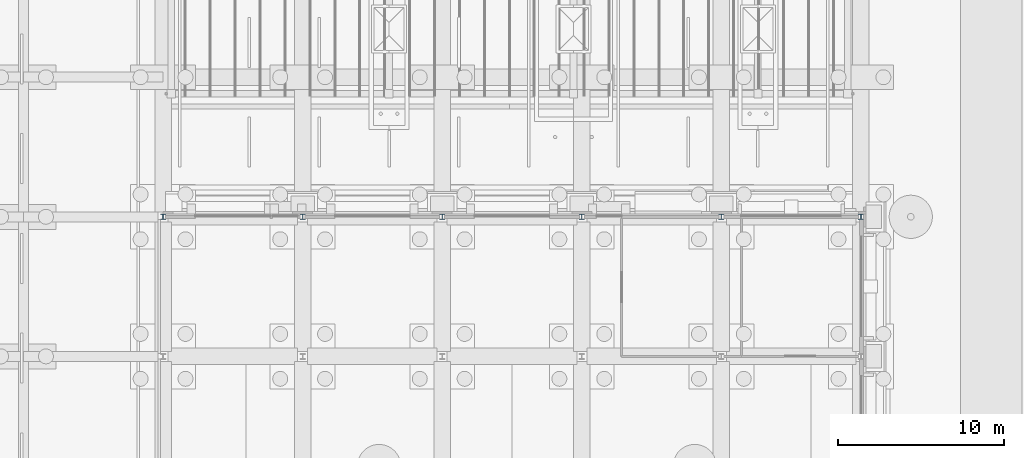
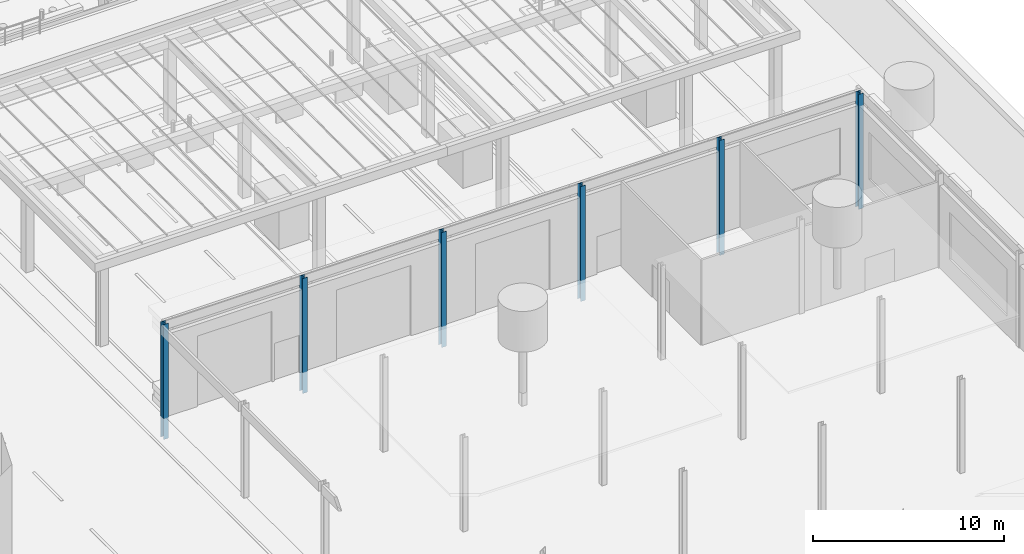
# One storey, part 31 of 222: 6 columns.
"""IFC4 building model written with IfcOpenShell, lengths in metres."""

import ifcopenshell
import ifcopenshell.guid

model = None  # the IFC model being written
_history = None  # IfcOwnerHistory: only IFC2X3 demands one
_inside = {}  # id of a spatial element -> (the spatial element, [elements in it])
_under = {}  # id of a project, library or spatial element -> (it, [spatial elements below it])
_declared = {}  # id of a project -> (the project, [libraries it declares])
_typed = {}  # id of a type object -> (the type object, [elements of that type])
_made_of = {}  # id of a material, layer set ... -> (it, [elements and type objects made of it])


def new_model(schema):
    """Start an empty IFC model of exactly this schema.

    Asked for "IFC4X3", IfcOpenShell would pick the latest addendum, in which some entities
    have other attributes; the version numbers below select the first issue.
    IFC2X3 requires an IfcOwnerHistory on every rooted entity: one is made here for all.
    """
    global model, _history
    if schema == "IFC4X3":
        model = ifcopenshell.file(schema_version=(4, 3, 0, 0))
    else:
        model = ifcopenshell.file(schema=schema)
    _inside.clear()
    _under.clear()
    _declared.clear()
    _typed.clear()
    _made_of.clear()
    _history = None
    if model.schema == "IFC2X3":
        org = make("IfcOrganization", Name="unknown")
        user = make(
            "IfcPersonAndOrganization",
            ThePerson=make("IfcPerson", FamilyName="unknown"),
            TheOrganization=org,
        )
        app = make(
            "IfcApplication",
            ApplicationDeveloper=org,
            Version="unknown",
            ApplicationFullName="unknown",
            ApplicationIdentifier="unknown",
        )
        _history = make(
            "IfcOwnerHistory",
            OwningUser=user,
            OwningApplication=app,
            ChangeAction="ADDED",
            CreationDate=0,
        )
    return model


def make(cls, **values):
    """One entity of the class cls with the attributes given. An attribute that is None is left unset."""
    return model.create_entity(
        cls, **{name: value for name, value in values.items() if value is not None}
    )


def rooted(cls, **values):
    """An entity with a GlobalId (a new one), such as an element, a storey or a relation."""
    return make(cls, GlobalId=ifcopenshell.guid.new(), OwnerHistory=_history, **values)


def si_unit(unit_type, name, prefix=None):
    """IfcSIUnit, for example si_unit("LENGTHUNIT", "METRE", prefix="MILLI")."""
    return make("IfcSIUnit", UnitType=unit_type, Prefix=prefix, Name=name)


def assignment(units):
    """IfcUnitAssignment: the units of a project."""
    return None if units is None else make("IfcUnitAssignment", Units=units)


def point(xyz):
    """IfcCartesianPoint."""
    return None if xyz is None else make("IfcCartesianPoint", Coordinates=xyz)


def direction(xyz):
    """IfcDirection."""
    return None if xyz is None else make("IfcDirection", DirectionRatios=xyz)


def frame(location, z_axis=None, x_axis=None):
    """IfcAxis2Placement3D, a coordinate frame: its origin and axes. An axis left out is left unset."""
    return make(
        "IfcAxis2Placement3D",
        Location=point(location),
        Axis=direction(z_axis),
        RefDirection=direction(x_axis),
    )


def frame_2d(location, x_axis=None):
    """IfcAxis2Placement2D, a coordinate frame in the plane: its origin and x axis."""
    return make(
        "IfcAxis2Placement2D", Location=point(location), RefDirection=direction(x_axis)
    )


def origin():
    """The frame at (0, 0, 0) with its axes left unset."""
    return frame((0.0, 0.0, 0.0))


def origin_2d():
    """The frame at (0, 0) in the plane with its x axis left unset."""
    return frame_2d((0.0, 0.0))


def place(relative_to, where):
    """IfcLocalPlacement: puts the frame where relative to a parent placement (None: the world)."""
    return make(
        "IfcLocalPlacement", PlacementRelTo=relative_to, RelativePlacement=where
    )


def context(
    kind, dimensions, precision=None, world=None, true_north=None, identifier=None
):
    """IfcGeometricRepresentationContext, for example the 3D "Model" context."""
    return make(
        "IfcGeometricRepresentationContext",
        ContextIdentifier=identifier,
        ContextType=kind,
        CoordinateSpaceDimension=dimensions,
        Precision=precision,
        WorldCoordinateSystem=world,
        TrueNorth=true_north,
    )


def subcontext(parent, identifier, kind, view, scale=None):
    """IfcGeometricRepresentationSubContext, for example "Body" below "Model"."""
    return make(
        "IfcGeometricRepresentationSubContext",
        ContextIdentifier=identifier,
        ContextType=kind,
        ParentContext=parent,
        TargetScale=scale,
        TargetView=view,
    )


def project(units=None, contexts=None):
    """IfcProject with its units and contexts."""
    return rooted(
        "IfcProject",
        Name="project",
        RepresentationContexts=contexts,
        UnitsInContext=assignment(units),
    )


def spatial(cls, under=None, at=None, **own):
    """A site, building, storey or space (cls), placed at a placement, below another one or the project."""
    s = rooted(cls, ObjectPlacement=at, **own)
    if under is not None:
        _under.setdefault(under.id(), (under, []))[1].append(s)
    return s


def profile(cls, at=None, kind="AREA", **sizes):
    """A parametric profile (cls). Its sizes go by their IFC names, for example OverallWidth=200.0."""
    return make(cls, ProfileType=kind, Position=at, **sizes)


def i_section(**sizes):
    """IfcIShapeProfileDef."""
    return profile("IfcIShapeProfileDef", **sizes)


def extrude(swept, where, along, depth):
    """IfcExtrudedAreaSolid: the profile swept, set in the frame where, extruded along a direction by depth."""
    return make(
        "IfcExtrudedAreaSolid",
        SweptArea=swept,
        Position=where,
        ExtrudedDirection=direction(along),
        Depth=depth,
    )


def shape(context_of_items, identifier, shape_type, items):
    """IfcShapeRepresentation: the items that make up one representation, for example the "Body"."""
    return make(
        "IfcShapeRepresentation",
        ContextOfItems=context_of_items,
        RepresentationIdentifier=identifier,
        RepresentationType=shape_type,
        Items=items,
    )


def material(Name=None, Category=None):
    """IfcMaterial."""
    return make("IfcMaterial", Name=Name, Category=Category)


def material_profile(
    of_material, cross_section, Name=None, Category=None, Priority=None
):
    """IfcMaterialProfile: a cross section and its material."""
    return make(
        "IfcMaterialProfile",
        Name=Name,
        Material=of_material,
        Profile=cross_section,
        Priority=Priority,
        Category=Category,
    )


def profile_set(profiles, Name=None, composite=None):
    """IfcMaterialProfileSet."""
    return make(
        "IfcMaterialProfileSet",
        Name=Name,
        MaterialProfiles=profiles,
        CompositeProfile=composite,
    )


def made_of(thing, what):
    """Note that an element or type object is made of a material, layer set ...; save() writes the relation."""
    if what is not None:
        _made_of.setdefault(what.id(), (what, []))[1].append(thing)
    return thing


def type_object(cls, material=None, **own):
    """A type object (cls), such as IfcWallType, which elements share."""
    return made_of(rooted(cls, **own), material)


def element(
    cls,
    number,
    at=None,
    inside=None,
    cuts=None,
    type_object=None,
    material=None,
    context=None,
    identifier="Body",
    shape_type=None,
    held_by="IfcProductDefinitionShape",
    body=None,
    shapes=None,
    **own,
):
    """One element of the class cls, such as IfcWall. Its Tag is "e" and its number.

    at: its placement. inside: the storey or other place that contains it. cuts: it is an
    opening in that element (IfcRelVoidsElement). A single representation is given by context,
    identifier, shape_type and body (its items); several are given by shapes. held_by: the class
    of the entity that holds the representations. save() writes the other relations.
    """
    e = rooted(cls, Tag="e%d" % number, ObjectPlacement=at, **own)
    if body is not None:
        shapes = [shape(context, identifier, shape_type, body)]
    if shapes is not None:
        e.Representation = make(held_by, Representations=shapes)
    if inside is not None:
        _inside.setdefault(inside.id(), (inside, []))[1].append(e)
    if cuts is not None:
        rooted(
            "IfcRelVoidsElement", RelatingBuildingElement=cuts, RelatedOpeningElement=e
        )
    if type_object is not None:
        _typed.setdefault(type_object.id(), (type_object, []))[1].append(e)
    return made_of(e, material)


def aggregate(whole, parts):
    """IfcRelAggregates: a whole, such as a stair, and the parts it consists of."""
    return rooted("IfcRelAggregates", RelatingObject=whole, RelatedObjects=parts)


def save(model, path):
    """Write the relations noted so far, then the file.

    IfcRelAggregates (storeys below a building ...), IfcRelContainedInSpatialStructure (elements
    in a storey), IfcRelDefinesByType, IfcRelAssociatesMaterial and IfcRelDeclares: one each for
    every whole, place, type object, material and project.
    """
    for whole, parts in _under.values():
        aggregate(whole, parts)
    for where, things in _inside.values():
        rooted(
            "IfcRelContainedInSpatialStructure",
            RelatedElements=things,
            RelatingStructure=where,
        )
    for kind, things in _typed.values():
        rooted("IfcRelDefinesByType", RelatedObjects=things, RelatingType=kind)
    for what, things in _made_of.values():
        rooted("IfcRelAssociatesMaterial", RelatedObjects=things, RelatingMaterial=what)
    for by, libraries in _declared.values():
        rooted("IfcRelDeclares", RelatingContext=by, RelatedDefinitions=libraries)
    model.write(path)


model = new_model("IFC4")

# Units and contexts
model_context = context("Model", 3, precision=1e-05, world=origin(), true_north=direction((0.0, 1.0)))
body_context = subcontext(model_context, "Body", "Model", "MODEL_VIEW")
ifc_project = project(units=[si_unit("LENGTHUNIT", "METRE"), si_unit("AREAUNIT", "SQUARE_METRE"), si_unit("VOLUMEUNIT", "CUBIC_METRE"), si_unit("PLANEANGLEUNIT", "RADIAN"), si_unit("MASSUNIT", "GRAM", prefix="KILO")], contexts=[model_context])

# Site, building, storey
site_placement = place(None, origin())
site = spatial("IfcSite", under=ifc_project, at=site_placement, CompositionType="ELEMENT")
building_placement = place(site_placement, origin())
building = spatial("IfcBuilding", under=site, at=building_placement, Name="Sava Quay Ferry Terminal", CompositionType="ELEMENT")
storey_placement = place(building_placement, origin())
storey = spatial("IfcBuildingStorey", under=building, at=storey_placement, Name="L00", CompositionType="ELEMENT", Elevation=0.0)

# Columns
ifc_material = material(Name="Steel S355", Category="steel")
ifc_material_profile = material_profile(ifc_material, i_section(OverallWidth=0.300048828125, OverallDepth=0.320068359375, WebThickness=0.011474609375, FlangeThickness=0.0205078125, at=origin_2d()), Name="HE 320 B")
ifc_profile_set = profile_set([ifc_material_profile], Name="Steel S355")
column_type = type_object("IfcColumnType", Name="Column HE 320 B", PredefinedType="COLUMN", material=ifc_profile_set)
for number, where, z_axis, x_axis, name in (
    (1, (126.0, 84.0, -1.35009765625), (0.0, 0.0, 1.0), (1.0, 0.0, 0.0), "Column L00 126/84"),
    (2, (134.39990234375, 84.0, -1.35009765625), (0.0, 0.0, 1.0), (1.0, 0.0, 0.0), "Column L00 134.4/84"),
    (3, (142.800048828125, 84.0, -1.35009765625), (0.0, 0.0, 1.0), (1.0, 0.0, 0.0), "Column L00 142.8/84"),
    (4, (151.199951171875, 84.0, -1.35009765625), (0.0, 0.0, 1.0), (1.0, 0.0, 0.0), "Column L00 151.2/84"),
    (5, (159.60009765625, 84.0, -1.35009765625), (0.0, 0.0, 1.0), (1.0, 0.0, 0.0), "Column L00 159.6/84"),
    (6, (168.0, 84.0, -1.35009765625), (0.0, 0.0, 1.0), (1.0, 0.0, 0.0), "Column L00 168/84"),
):
    element("IfcColumn", number, at=place(storey_placement, frame(where, z_axis=z_axis, x_axis=x_axis)), inside=storey, type_object=column_type, Name=name, PredefinedType="COLUMN", context=body_context, shape_type="SweptSolid", body=[
        extrude(i_section(OverallWidth=0.300048828125, OverallDepth=0.320068359375, WebThickness=0.011474609375, FlangeThickness=0.0205078125, at=origin_2d()), origin(), (0.0, 0.0, 1.0), 7.35009765625),
    ])

save(model, "model.ifc")
